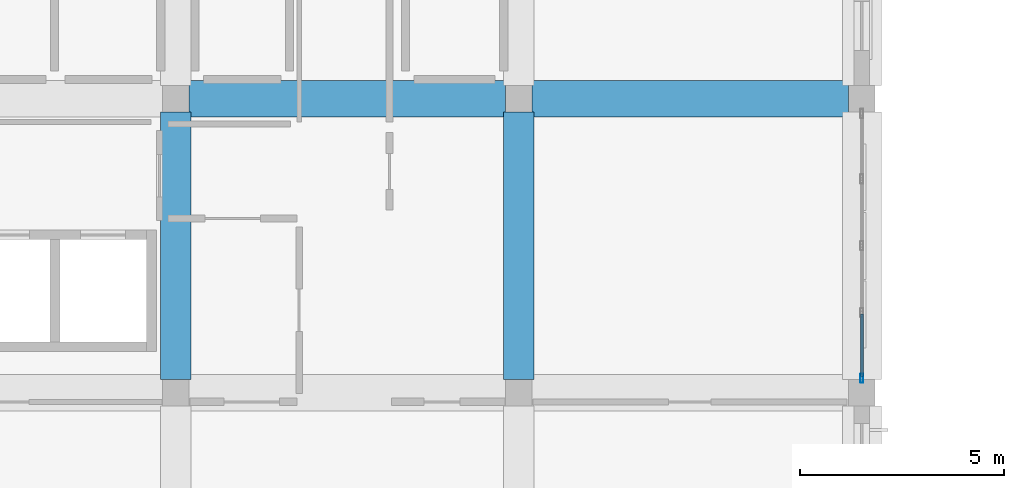
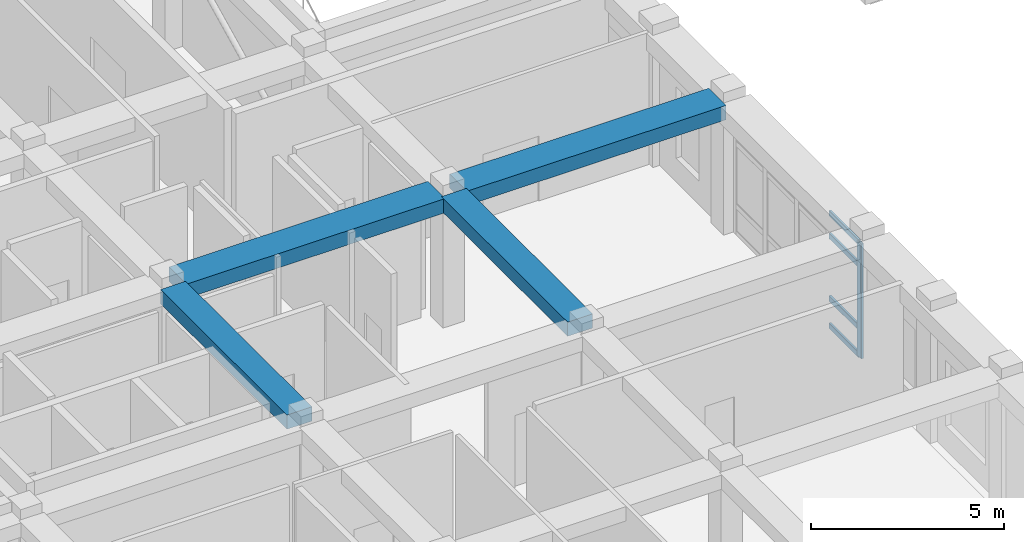
# One storey, part 7 of 79: 5 members, 4 beams, 1 element without a shape of its own.
"""IFC4 building model written with IfcOpenShell, lengths in metres."""

from ifc_helpers import new_model, si_unit, derived_unit, direction, frame, origin, origin_2d, place, context, subcontext, project, spatial, rectangle, hollow_rectangle, extrude, material, material_profile, profile_set, type_object, element, aggregate, save


model = new_model("IFC4")

# Units and contexts
model_context = context("Model", 3, precision=1e-05, world=origin(), true_north=direction((0.0, 1.0)))
body_context = subcontext(model_context, "Body", "Model", "MODEL_VIEW")
ifc_project = project(units=[si_unit("LENGTHUNIT", "METRE"), si_unit("AREAUNIT", "SQUARE_METRE"), si_unit("VOLUMEUNIT", "CUBIC_METRE"), si_unit("PLANEANGLEUNIT", "RADIAN"), si_unit("MASSUNIT", "GRAM", prefix="KILO"), derived_unit("THERMALTRANSMITTANCEUNIT", [(si_unit("POWERUNIT", "WATT"), 1), (si_unit("LENGTHUNIT", "METRE"), -2), (si_unit("THERMODYNAMICTEMPERATUREUNIT", "KELVIN"), -1)])], contexts=[model_context])

# Site, building, storey
site_placement = place(None, origin())
site = spatial("IfcSite", under=ifc_project, at=site_placement, CompositionType="ELEMENT")
building_placement = place(site_placement, origin())
building = spatial("IfcBuilding", under=site, at=building_placement, Name="Veybourne Emporium", CompositionType="ELEMENT")
storey_placement = place(building_placement, frame((0.0, 0.0, 18.89990234375)))
storey = spatial("IfcBuildingStorey", under=building, at=storey_placement, Name="L04", CompositionType="ELEMENT", Elevation=18.89990234375)

# Curtain wall, members
ifc_material_1 = material(Name="Patinated Architectural Bronze", Category="bronze")
curtain_wall_type = type_object("IfcCurtainWallType", Name="CWSystem_CWS-01", PredefinedType="NOTDEFINED", material=ifc_material_1)
curtain_wall_placement = place(storey_placement, origin())
curtain_wall = element("IfcCurtainWall", 1, at=curtain_wall_placement, inside=storey, type_object=curtain_wall_type, Name="L04 bronze glazed curtain wall CWS-01 (027)", PredefinedType="NOTDEFINED")
ifc_material_profile_1 = material_profile(ifc_material_1, hollow_rectangle(XDim=0.072021484375, YDim=0.22509765625, WallThickness=0.0048828125, InnerFilletRadius=0.007568359375, OuterFilletRadius=0.012451171875, at=origin_2d()), Name="CWM 72x225x5")
ifc_profile_set_1 = profile_set([ifc_material_profile_1], Name="Patinated Architectural Bronze")
member_type_1 = type_object("IfcMemberType", Name="CWMullion_CW-M1", PredefinedType="MULLION", material=ifc_profile_set_1)
member_1_placement = place(storey_placement, frame((50.39990234375, 14.760986328125, 0.0), z_axis=(0.0, 0.0, 1.0), x_axis=(1.0, 0.0, 0.0)))
member_1 = element("IfcMember", 2, at=member_1_placement, type_object=member_type_1, Name="CWS-01 mullion 5", PredefinedType="MULLION", context=body_context, shape_type="SweptSolid", body=[
    extrude(hollow_rectangle(XDim=0.072021484375, YDim=0.22509765625, WallThickness=0.0048828125, InnerFilletRadius=0.007568359375, OuterFilletRadius=0.012451171875, at=origin_2d()), origin(), (0.0, 0.0, 1.0), 3.630126953125),
])
ifc_material_profile_2 = material_profile(ifc_material_1, hollow_rectangle(XDim=0.072021484375, YDim=0.175048828125, WallThickness=0.0048828125, InnerFilletRadius=0.007568359375, OuterFilletRadius=0.012451171875, at=origin_2d()), Name="CWT 72x175x5")
ifc_profile_set_2 = profile_set([ifc_material_profile_2], Name="Patinated Architectural Bronze")
member_type_2 = type_object("IfcMemberType", Name="CWTransom_CW-T1", PredefinedType="NOTDEFINED", material=ifc_profile_set_2)
member_2_placement = place(storey_placement, frame((50.39990234375, 16.326416015625, 0.0361328125), z_axis=(0.0, -1.0, 0.0), x_axis=(1.0, 0.0, 0.0)))
member_2 = element("IfcMember", 3, at=member_2_placement, type_object=member_type_2, Name="CWS-01 transom 4.1", ObjectType="TRANSOM", PredefinedType="USERDEFINED", context=body_context, shape_type="SweptSolid", body=[
    extrude(hollow_rectangle(XDim=0.072021484375, YDim=0.175048828125, WallThickness=0.0048828125, InnerFilletRadius=0.007568359375, OuterFilletRadius=0.012451171875, at=origin_2d()), origin(), (0.0, 0.0, 1.0), 1.529296875),
])
member_3_placement = place(storey_placement, frame((50.39990234375, 16.326416015625, 0.900146484375), z_axis=(0.0, -1.0, 0.0), x_axis=(1.0, 0.0, 0.0)))
member_3 = element("IfcMember", 4, at=member_3_placement, type_object=member_type_2, Name="CWS-01 transom 4.2", ObjectType="TRANSOM", PredefinedType="USERDEFINED", context=body_context, shape_type="SweptSolid", body=[
    extrude(hollow_rectangle(XDim=0.072021484375, YDim=0.175048828125, WallThickness=0.0048828125, InnerFilletRadius=0.007568359375, OuterFilletRadius=0.012451171875, at=origin_2d()), origin(), (0.0, 0.0, 1.0), 1.529296875),
])
member_4_placement = place(storey_placement, frame((50.39990234375, 16.326416015625, 2.880126953125), z_axis=(0.0, -1.0, 0.0), x_axis=(1.0, 0.0, 0.0)))
member_4 = element("IfcMember", 5, at=member_4_placement, type_object=member_type_2, Name="CWS-01 transom 4.3", ObjectType="TRANSOM", PredefinedType="USERDEFINED", context=body_context, shape_type="SweptSolid", body=[
    extrude(hollow_rectangle(XDim=0.072021484375, YDim=0.175048828125, WallThickness=0.0048828125, InnerFilletRadius=0.007568359375, OuterFilletRadius=0.012451171875, at=origin_2d()), origin(), (0.0, 0.0, 1.0), 1.529296875),
])
member_5_placement = place(storey_placement, frame((50.39990234375, 16.326416015625, 3.593994140625), z_axis=(0.0, -1.0, 0.0), x_axis=(1.0, 0.0, 0.0)))
member_5 = element("IfcMember", 6, at=member_5_placement, type_object=member_type_2, Name="CWS-01 transom 4.4", ObjectType="TRANSOM", PredefinedType="USERDEFINED", context=body_context, shape_type="SweptSolid", body=[
    extrude(hollow_rectangle(XDim=0.072021484375, YDim=0.175048828125, WallThickness=0.0048828125, InnerFilletRadius=0.007568359375, OuterFilletRadius=0.012451171875, at=origin_2d()), origin(), (0.0, 0.0, 1.0), 1.529296875),
])
aggregate(curtain_wall, [member_1, member_2, member_3, member_4, member_5])

# Beams
ifc_material_2 = material(Name="Concrete C32/40", Category="concrete")
ifc_material_profile_3 = material_profile(ifc_material_2, rectangle(XDim=0.89990234375, YDim=0.449951171875, at=origin_2d()), Name="RC 900x450")
ifc_profile_set_3 = profile_set([ifc_material_profile_3], Name="Concrete C32/40")
beam_type_1 = type_object("IfcBeamType", Name="RCBeam_BB-03", PredefinedType="BEAM", material=ifc_profile_set_3)
for number, where, z_axis, x_axis, name in (
    (7, (33.925048828125, 21.60009765625, 3.955078125), (1.0, 0.0, 0.0), (0.0, 1.0, 0.0), "L04 X-grid beam BB-03 (4,3)"),
    (8, (42.324951171875, 21.60009765625, 3.955078125), (1.0, 0.0, 0.0), (0.0, 1.0, 0.0), "L04 X-grid beam BB-03 (5,3)"),
):
    element("IfcBeam", number, at=place(storey_placement, frame(where, z_axis=z_axis, x_axis=x_axis)), inside=storey, type_object=beam_type_1, Name=name, PredefinedType="BEAM", context=body_context, shape_type="SweptSolid", body=[
        extrude(rectangle(XDim=0.89990234375, YDim=0.449951171875, at=origin_2d()), origin(), (0.0, 0.0, 1.0), 7.75),
    ])
ifc_material_profile_4 = material_profile(ifc_material_2, rectangle(XDim=0.75, YDim=0.449951171875, at=origin_2d()), Name="RC 750x450")
ifc_profile_set_4 = profile_set([ifc_material_profile_4], Name="Concrete C32/40")
beam_type_2 = type_object("IfcBeamType", Name="RCBeam_BB-04", PredefinedType="BEAM", material=ifc_profile_set_4)
for number, where, z_axis, x_axis, name in (
    (9, (33.60009765625, 14.72509765625, 3.955078125), (0.0, 1.0, 0.0), (-1.0, 0.0, 0.0), "L04 Y-grid beam BB-04 (4,2)"),
    (10, (42.0, 14.72509765625, 3.955078125), (0.0, 1.0, 0.0), (-1.0, 0.0, 0.0), "L04 Y-grid beam BB-04 (5,2)"),
):
    element("IfcBeam", number, at=place(storey_placement, frame(where, z_axis=z_axis, x_axis=x_axis)), inside=storey, type_object=beam_type_2, Name=name, PredefinedType="BEAM", context=body_context, shape_type="SweptSolid", body=[
        extrude(rectangle(XDim=0.75, YDim=0.449951171875, at=origin_2d()), origin(), (0.0, 0.0, 1.0), 6.5498046875),
    ])

save(model, "model.ifc")
